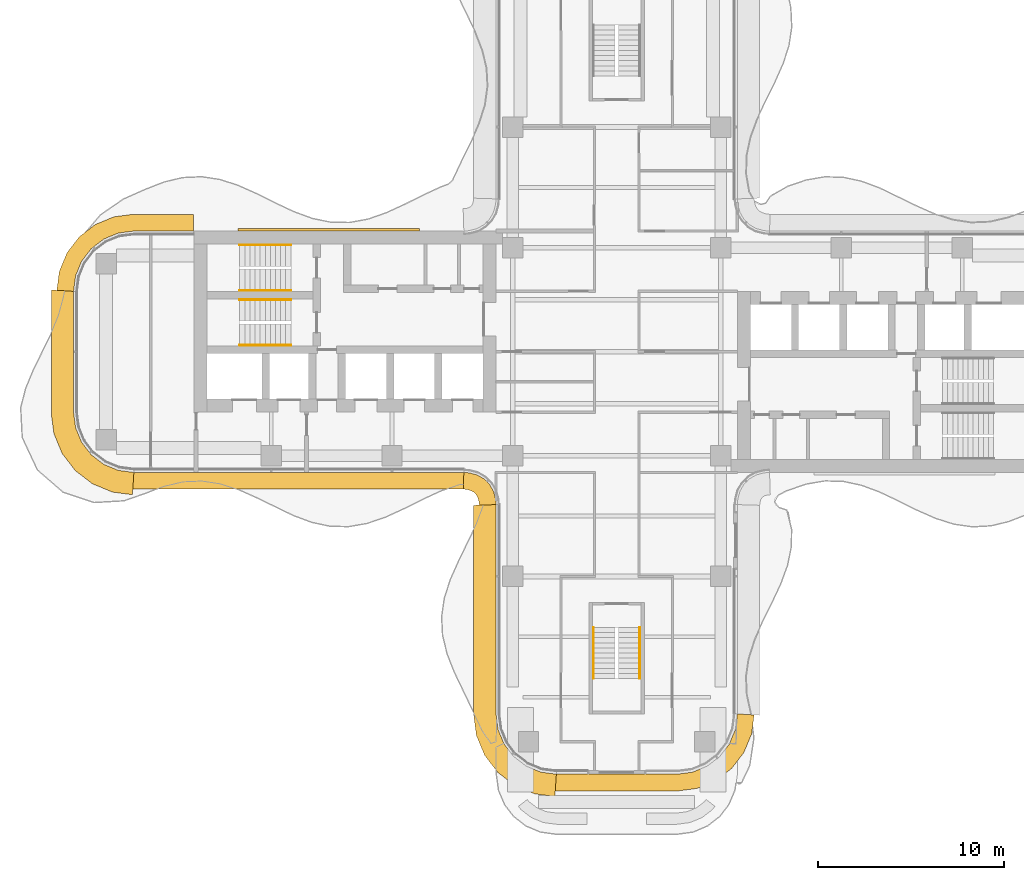
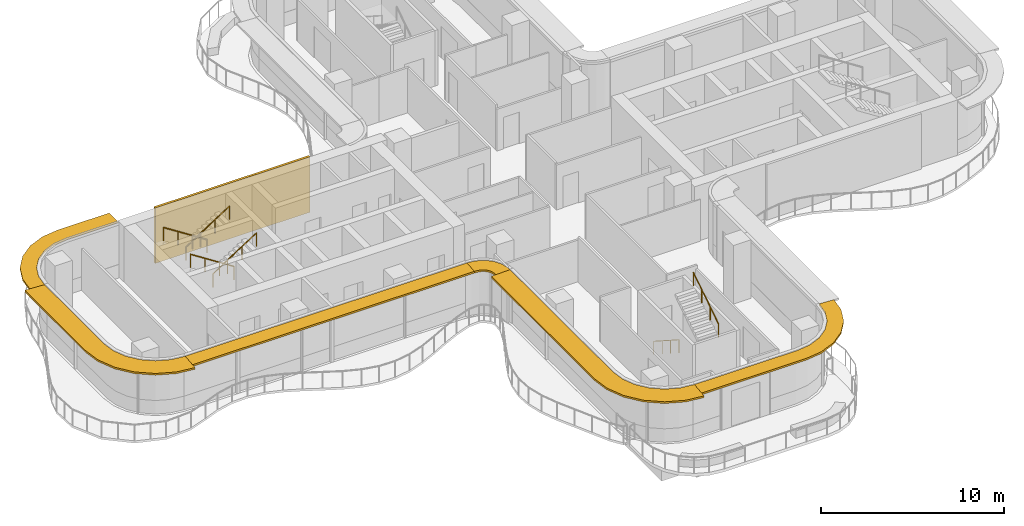
# One storey, part 16 of 17: 6 railings, 6 shading devices, 1 covering.
"""IFC4 building model written with IfcOpenShell, lengths in metres."""

from ifc_helpers import new_model, si_unit, direction, frame, origin, origin_2d, place, context, subcontext, project, spatial, polyline, circle, outline, extrude, source, transform, mapped, material, layer, layer_set, type_object, element, save


model = new_model("IFC4")

# Units and contexts
model_context = context("Model", 3, precision=1e-05, world=origin(), true_north=direction((0.0, 1.0)))
body_context = subcontext(model_context, "Body", "Model", "MODEL_VIEW")
ifc_project = project(units=[si_unit("LENGTHUNIT", "METRE"), si_unit("AREAUNIT", "SQUARE_METRE"), si_unit("VOLUMEUNIT", "CUBIC_METRE"), si_unit("PLANEANGLEUNIT", "RADIAN"), si_unit("MASSUNIT", "GRAM", prefix="KILO")], contexts=[model_context])

# Site, building, storey
site_placement = place(None, origin())
site = spatial("IfcSite", under=ifc_project, at=site_placement, CompositionType="ELEMENT")
building_placement = place(site_placement, origin())
building = spatial("IfcBuilding", under=site, at=building_placement, Name="Trellis Farm Tower", CompositionType="ELEMENT")
storey_placement = place(building_placement, frame((0.0, 0.0, 244.10009765625)))
storey = spatial("IfcBuildingStorey", under=building, at=storey_placement, Name="L54", CompositionType="ELEMENT", Elevation=244.10009765625)

# Railings
ifc_material_1 = material(Name="Stainless steel", Category="steel")
railing_type = type_object("IfcRailingType", Name="STAIR HANDRAIL 900", PredefinedType="HANDRAIL", material=ifc_material_1)
shared_shape_1 = source(origin(), body_context, "Body", "SweptSolid", [
    extrude(circle(Radius=0.02392578125, at=origin_2d()), frame((0.0, 0.0, 0.8759765625), z_axis=(0.0, 0.840503830235, 0.541805602924), x_axis=(-1.0, 0.0, 0.0)), (0.0, 0.0, 1.0), 3.271728515625),
    extrude(circle(Radius=0.02099609375, at=origin_2d()), origin(), (0.0, 0.0, 1.0), 0.851806640625),
    extrude(circle(Radius=0.02099609375, at=origin_2d()), frame((0.0, 0.916748046875, 0.5908203125)), (0.0, 0.0, 1.0), 0.851806640625),
    extrude(circle(Radius=0.02099609375, at=origin_2d()), frame((0.0, 1.833251953125, 1.181884765625)), (0.0, 0.0, 1.0), 0.851806640625),
    extrude(circle(Radius=0.02099609375, at=origin_2d()), frame((0.0, 2.75, 1.772705078125)), (0.0, 0.0, 1.0), 0.851806640625),
])
railing_1_placement = place(storey_placement, frame((1.25, -17.60009765625, 2.127197265625)))
element("IfcRailing", 1, at=railing_1_placement, inside=storey, type_object=railing_type, Name="Stair handrail", PredefinedType="HANDRAIL", context=body_context, shape_type="MappedRepresentation", body=[
    mapped(shared_shape_1, transform((0.0, 0.0, 0.0))),
])
shared_shape_2 = source(origin(), body_context, "Body", "SweptSolid", [
    extrude(circle(Radius=0.02392578125, at=origin_2d()), frame((0.0, 0.0, 0.8759765625), z_axis=(0.0, -0.840503830235, 0.541805602924), x_axis=(1.0, 0.0, 0.0)), (0.0, 0.0, 1.0), 3.271728515625),
    extrude(circle(Radius=0.02099609375, at=origin_2d()), origin(), (0.0, 0.0, 1.0), 0.851806640625),
    extrude(circle(Radius=0.02099609375, at=origin_2d()), frame((0.0, -0.916748046875, 0.5908203125)), (0.0, 0.0, 1.0), 0.851806640625),
    extrude(circle(Radius=0.02099609375, at=origin_2d()), frame((0.0, -1.833251953125, 1.181884765625)), (0.0, 0.0, 1.0), 0.851806640625),
    extrude(circle(Radius=0.02099609375, at=origin_2d()), frame((0.0, -2.75, 1.772705078125)), (0.0, 0.0, 1.0), 0.851806640625),
])
railing_2_placement = place(storey_placement, frame((-1.25, -14.85009765625, 0.17724609375)))
element("IfcRailing", 2, at=railing_2_placement, inside=storey, type_object=railing_type, Name="Stair handrail", PredefinedType="HANDRAIL", context=body_context, shape_type="MappedRepresentation", body=[
    mapped(shared_shape_2, transform((0.0, 0.0, 0.0))),
])
shared_shape_3 = source(origin(), body_context, "Body", "SweptSolid", [
    extrude(circle(Radius=0.02392578125, at=origin_2d()), frame((0.0, 0.0, 0.8759765625), z_axis=(0.840503830235, 0.0, 0.541805602924), x_axis=(0.0, 1.0, 0.0)), (0.0, 0.0, 1.0), 3.271728515625),
    extrude(circle(Radius=0.02099609375, at=origin_2d()), origin(), (0.0, 0.0, 1.0), 0.851806640625),
    extrude(circle(Radius=0.02099609375, at=origin_2d()), frame((0.916748046875, 0.0, 0.5908203125)), (0.0, 0.0, 1.0), 0.851806640625),
    extrude(circle(Radius=0.02099609375, at=origin_2d()), frame((1.833251953125, 0.0, 1.181884765625)), (0.0, 0.0, 1.0), 0.851806640625),
    extrude(circle(Radius=0.02099609375, at=origin_2d()), frame((2.75, 0.0, 1.772705078125)), (0.0, 0.0, 1.0), 0.851806640625),
])
for number, where, name in (
    (3, (-20.300048828125, 3.300048828125, 2.127197265625), "Stair handrail"),
    (4, (-20.300048828125, 0.35009765625, 2.127197265625), "Stair handrail"),
):
    element("IfcRailing", number, at=place(storey_placement, frame(where)), inside=storey, type_object=railing_type, Name=name, PredefinedType="HANDRAIL", context=body_context, shape_type="MappedRepresentation", body=[
        mapped(shared_shape_3, transform((0.0, 0.0, 0.0))),
    ])
shared_shape_4 = source(origin(), body_context, "Body", "SweptSolid", [
    extrude(circle(Radius=0.02392578125, at=origin_2d()), frame((0.0, 0.0, 0.8759765625), z_axis=(-0.840503830235, 0.0, 0.541805602924), x_axis=(0.0, -1.0, 0.0)), (0.0, 0.0, 1.0), 3.271728515625),
    extrude(circle(Radius=0.02099609375, at=origin_2d()), origin(), (0.0, 0.0, 1.0), 0.851806640625),
    extrude(circle(Radius=0.02099609375, at=origin_2d()), frame((-0.916748046875, 0.0, 0.5908203125)), (0.0, 0.0, 1.0), 0.851806640625),
    extrude(circle(Radius=0.02099609375, at=origin_2d()), frame((-1.833251953125, 0.0, 1.181884765625)), (0.0, 0.0, 1.0), 0.851806640625),
    extrude(circle(Radius=0.02099609375, at=origin_2d()), frame((-2.75, 0.0, 1.772705078125)), (0.0, 0.0, 1.0), 0.851806640625),
])
for number, where, name in (
    (5, (-17.550048828125, 5.75, 0.17724609375), "Stair handrail"),
    (6, (-17.550048828125, 2.800048828125, 0.17724609375), "Stair handrail"),
):
    element("IfcRailing", number, at=place(storey_placement, frame(where)), inside=storey, type_object=railing_type, Name=name, PredefinedType="HANDRAIL", context=body_context, shape_type="MappedRepresentation", body=[
        mapped(shared_shape_4, transform((0.0, 0.0, 0.0))),
    ])

# Shading device
ifc_material_2 = material(Name="Aluminium extrusion 6063-T6", Category="aluminium")
ifc_layer_1 = layer(ifc_material_2, 0.1201171875)
ifc_layer_set_1 = layer_set([ifc_layer_1], Name="SUNSHADE BLADE 900")
shading_device_type_1 = type_object("IfcShadingDeviceType", Name="SUNSHADE BLADE 900", PredefinedType="USERDEFINED", material=ifc_layer_set_1)
shared_shape_5 = source(origin(), body_context, "Body", "SweptSolid", [
    extrude(outline(polyline([(-8.2607421875, -7.39990234375), (-8.107666015625, -7.409912109375), (-8.091552734375, -7.412109375), (-7.85595703125, -7.475341796875), (-7.697021484375, -7.567138671875), (-7.567138671875, -7.697021484375), (-7.475341796875, -7.85595703125), (-7.412109375, -8.091552734375), (-7.409912109375, -8.107666015625), (-7.39990234375, -8.2607421875), (-6.5, -8.2314453125), (-6.513916015625, -8.01953125), (-6.527587890625, -7.91552734375), (-6.63671875, -7.508544921875), (-6.846923828125, -7.144287109375), (-7.144287109375, -6.846923828125), (-7.508544921875, -6.63671875), (-7.91552734375, -6.527587890625), (-8.01953125, -6.513916015625), (-8.2314453125, -6.5), (-8.2607421875, -7.39990234375)])), origin(), (0.0, 0.0, 1.0), 0.1201171875),
])
placement = place(storey_placement, frame((0.0, 0.0, 3.539794921875)))
element("IfcShadingDevice", 7, at=placement, inside=storey, type_object=shading_device_type_1, Name="SD1 002", ObjectType="SUNSHADE", PredefinedType="USERDEFINED", context=body_context, shape_type="MappedRepresentation", body=[
    mapped(shared_shape_5, transform((0.0, 0.0, 0.0))),
])

# Covering
ifc_material_3 = material(Name="Perforated precast screen (cobogo)", Category="concrete")
ifc_layer_2 = layer(ifc_material_3, 0.14990234375)
ifc_layer_set_2 = layer_set([ifc_layer_2], Name="COBOGO SCREEN PANEL")
covering_type = type_object("IfcCoveringType", Name="COBOGO SCREEN PANEL", PredefinedType="USERDEFINED", material=ifc_layer_set_2)
shared_shape_6 = source(origin(), body_context, "Body", "SweptSolid", [
    extrude(outline(polyline([(-10.630615234375, 6.64990234375), (-20.380615234375, 6.64990234375), (-20.380615234375, 6.5), (-10.630615234375, 6.5), (-10.630615234375, 6.64990234375)])), origin(), (0.0, 0.0, 1.0), 3.699951171875),
])
covering_placement = place(storey_placement, origin())
element("IfcCovering", 8, at=covering_placement, inside=storey, type_object=covering_type, Name="SC1 02", ObjectType="SCREEN", PredefinedType="USERDEFINED", context=body_context, shape_type="MappedRepresentation", body=[
    mapped(shared_shape_6, transform((0.0, 0.0, 0.0))),
])

# Shading devices
shared_shape_7 = source(origin(), body_context, "Body", "SweptSolid", [
    extrude(outline(polyline([(-26.05908203125, -7.39990234375), (-8.2607421875, -7.39990234375), (-8.2314453125, -6.5), (-26.0, -6.5), (-26.05908203125, -7.39990234375)])), origin(), (0.0, 0.0, 1.0), 0.1201171875),
])
element("IfcShadingDevice", 9, at=placement, inside=storey, type_object=shading_device_type_1, Name="SD1 001", ObjectType="SUNSHADE", PredefinedType="USERDEFINED", context=body_context, shape_type="MappedRepresentation", body=[
    mapped(shared_shape_7, transform((0.0, 0.0, 0.0))),
])
shared_shape_8 = source(origin(), body_context, "Body", "SweptSolid", [
    extrude(outline(polyline([(-22.780029296875, 7.39990234375), (-26.05908203125, 7.39990234375), (-27.076171875, 7.26611328125), (-28.078857421875, 6.850830078125), (-28.93994140625, 6.18994140625), (-29.600830078125, 5.328857421875), (-30.01611328125, 4.326171875), (-30.14990234375, 3.30908203125), (-29.25, 3.25), (-29.13916015625, 4.091064453125), (-28.814697265625, 4.875), (-28.298095703125, 5.548095703125), (-27.625, 6.064697265625), (-26.841064453125, 6.38916015625), (-26.0, 6.5), (-22.780029296875, 6.5), (-22.780029296875, 7.39990234375)])), origin(), (0.0, 0.0, 1.0), 0.1201171875),
])
element("IfcShadingDevice", 10, at=placement, inside=storey, type_object=shading_device_type_1, Name="SD1 015", ObjectType="SUNSHADE", PredefinedType="USERDEFINED", context=body_context, shape_type="MappedRepresentation", body=[
    mapped(shared_shape_8, transform((0.0, 0.0, 0.0))),
])
ifc_layer_3 = layer(ifc_material_2, 0.1201171875)
ifc_layer_set_3 = layer_set([ifc_layer_3], Name="SUNSHADE BLADE 1200")
shading_device_type_2 = type_object("IfcShadingDeviceType", Name="SUNSHADE BLADE 1200", PredefinedType="USERDEFINED", material=ifc_layer_set_3)
shared_shape_9 = source(origin(), body_context, "Body", "SweptSolid", [
    extrude(outline(polyline([(-30.449951171875, 3.32861328125), (-30.449951171875, -3.32861328125), (-30.308349609375, -4.404541015625), (-29.86279296875, -5.480224609375), (-29.154052734375, -6.404052734375), (-28.230224609375, -7.11279296875), (-27.154541015625, -7.558349609375), (-26.07861328125, -7.699951171875), (-26.0, -6.5), (-26.841064453125, -6.38916015625), (-27.625, -6.064697265625), (-28.298095703125, -5.548095703125), (-28.814697265625, -4.875), (-29.13916015625, -4.091064453125), (-29.25, -3.25), (-29.25, 3.25), (-30.449951171875, 3.32861328125)])), origin(), (0.0, 0.0, 1.0), 0.1201171875),
])
element("IfcShadingDevice", 11, at=placement, inside=storey, type_object=shading_device_type_2, Name="SD2 016", ObjectType="SUNSHADE", PredefinedType="USERDEFINED", context=body_context, shape_type="MappedRepresentation", body=[
    mapped(shared_shape_9, transform((0.0, 0.0, 0.0))),
])
shared_shape_10 = source(origin(), body_context, "Body", "SweptSolid", [
    extrude(outline(polyline([(-7.699951171875, -8.270751953125), (-7.699951171875, -19.57861328125), (-7.558349609375, -20.654541015625), (-7.11279296875, -21.730224609375), (-6.404052734375, -22.654052734375), (-5.480224609375, -23.36279296875), (-4.404541015625, -23.808349609375), (-3.32861328125, -23.949951171875), (-3.25, -22.75), (-4.091064453125, -22.63916015625), (-4.875, -22.314697265625), (-5.548095703125, -21.798095703125), (-6.064697265625, -21.125), (-6.38916015625, -20.341064453125), (-6.5, -19.5), (-6.5, -8.2314453125), (-7.699951171875, -8.270751953125)])), origin(), (0.0, 0.0, 1.0), 0.1201171875),
])
element("IfcShadingDevice", 12, at=placement, inside=storey, type_object=shading_device_type_2, Name="SD2 003", ObjectType="SUNSHADE", PredefinedType="USERDEFINED", context=body_context, shape_type="MappedRepresentation", body=[
    mapped(shared_shape_10, transform((0.0, 0.0, 0.0))),
])
shared_shape_11 = source(origin(), body_context, "Body", "SweptSolid", [
    extrude(outline(polyline([(-3.30908203125, -23.64990234375), (3.30908203125, -23.64990234375), (4.326171875, -23.51611328125), (5.328857421875, -23.100830078125), (6.18994140625, -22.43994140625), (6.850830078125, -21.578857421875), (7.26611328125, -20.576171875), (7.39990234375, -19.55908203125), (6.5, -19.5), (6.38916015625, -20.341064453125), (6.064697265625, -21.125), (5.548095703125, -21.798095703125), (4.875, -22.314697265625), (4.091064453125, -22.63916015625), (3.25, -22.75), (-3.25, -22.75), (-3.30908203125, -23.64990234375)])), origin(), (0.0, 0.0, 1.0), 0.1201171875),
])
element("IfcShadingDevice", 13, at=placement, inside=storey, type_object=shading_device_type_1, Name="SD1 004", ObjectType="SUNSHADE", PredefinedType="USERDEFINED", context=body_context, shape_type="MappedRepresentation", body=[
    mapped(shared_shape_11, transform((0.0, 0.0, 0.0))),
])

save(model, "model.ifc")
